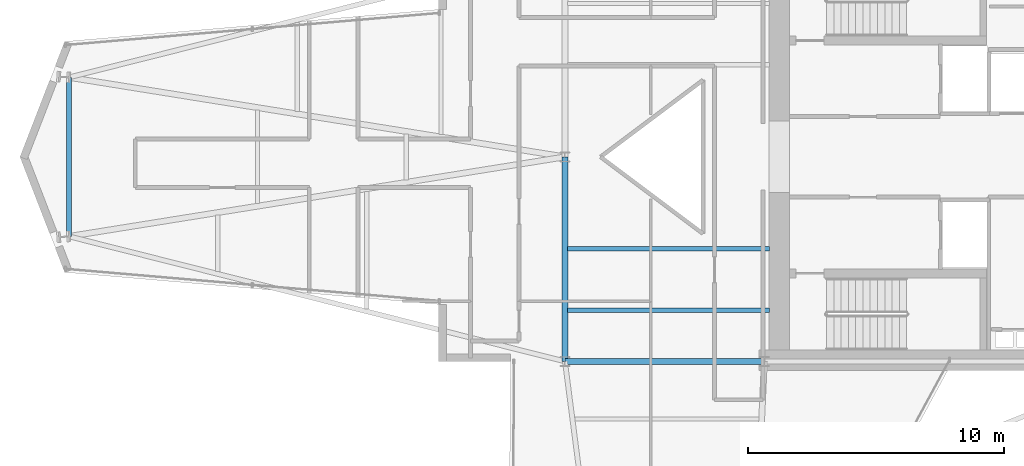
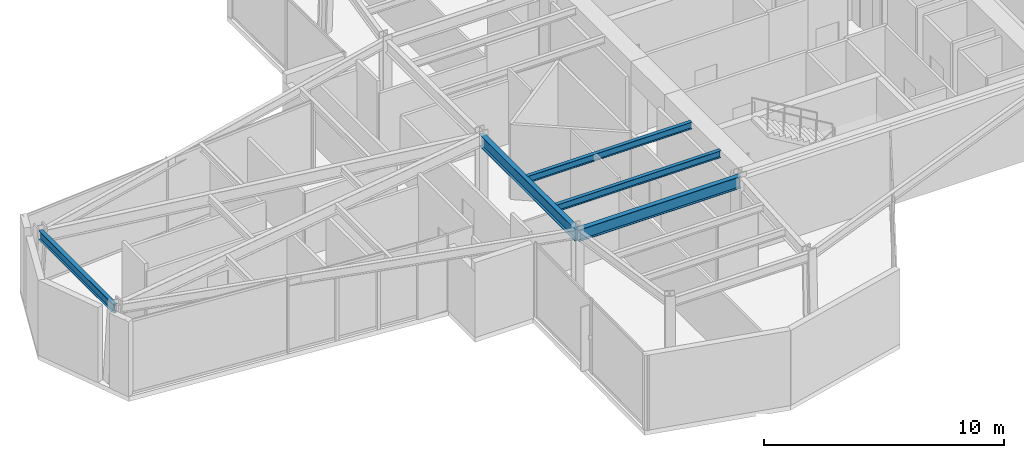
# One storey, part 6 of 26: 5 beams.
"""IFC4 building model written with IfcOpenShell, lengths in metres."""

from ifc_helpers import new_model, si_unit, direction, frame, origin, origin_2d, place, context, subcontext, project, spatial, i_section, extrude, material, material_profile, profile_set, type_object, element, save


model = new_model("IFC4")

# Units and contexts
model_context = context("Model", 3, precision=1e-05, world=origin(), true_north=direction((0.0, 1.0)))
body_context = subcontext(model_context, "Body", "Model", "MODEL_VIEW")
ifc_project = project(units=[si_unit("LENGTHUNIT", "METRE"), si_unit("AREAUNIT", "SQUARE_METRE"), si_unit("VOLUMEUNIT", "CUBIC_METRE"), si_unit("PLANEANGLEUNIT", "RADIAN"), si_unit("MASSUNIT", "GRAM", prefix="KILO")], contexts=[model_context])

# Site, building, storey
site_placement = place(None, origin())
site = spatial("IfcSite", under=ifc_project, at=site_placement, CompositionType="ELEMENT")
building_placement = place(site_placement, origin())
building = spatial("IfcBuilding", under=site, at=building_placement, Name="Veymaron Broadcast Tower", CompositionType="ELEMENT")
storey_placement = place(building_placement, frame((0.0, 0.0, 157.35009765625)))
storey = spatial("IfcBuildingStorey", under=building, at=storey_placement, Name="L36", CompositionType="ELEMENT", Elevation=157.35009765625)

# Beams
ifc_material = material(Name="Structural steel ASTM A992 Gr 50", Category="steel")
ifc_material_profile_1 = material_profile(ifc_material, i_section(OverallWidth=0.22802734375, OverallDepth=0.60791015625, WebThickness=0.01123046875, FlangeThickness=0.017333984375, at=origin_2d()), Name="W610X113")
ifc_profile_set_1 = profile_set([ifc_material_profile_1], Name="Structural steel ASTM A992 Gr 50")
beam_type_1 = type_object("IfcBeamType", Name="BM-FG2", PredefinedType="BEAM", material=ifc_profile_set_1)
beam_1_placement = place(storey_placement, frame((31.199951171875, 16.0, 3.505859375), z_axis=(0.0, 1.0, 0.0), x_axis=(-1.0, 0.0, 0.0)))
element("IfcBeam", 1, at=beam_1_placement, inside=storey, type_object=beam_type_1, Name="L36 primary structural floor girder", PredefinedType="BEAM", context=body_context, shape_type="SweptSolid", body=[
    extrude(i_section(OverallWidth=0.22802734375, OverallDepth=0.60791015625, WebThickness=0.01123046875, FlangeThickness=0.017333984375, at=origin_2d()), origin(), (0.0, 0.0, 1.0), 8.0),
])
beam_2_placement = place(storey_placement, frame((31.199951171875, 16.0, 3.505859375), z_axis=(1.0, 0.0, 0.0), x_axis=(0.0, 1.0, 0.0)))
element("IfcBeam", 2, at=beam_2_placement, inside=storey, type_object=beam_type_1, Name="L36 primary structural floor girder", PredefinedType="BEAM", context=body_context, shape_type="SweptSolid", body=[
    extrude(i_section(OverallWidth=0.22802734375, OverallDepth=0.60791015625, WebThickness=0.01123046875, FlangeThickness=0.017333984375, at=origin_2d()), origin(), (0.0, 0.0, 1.0), 7.800048828125),
])
ifc_material_profile_2 = material_profile(ifc_material, i_section(OverallWidth=0.1708984375, OverallDepth=0.35498046875, WebThickness=0.007080078125, FlangeThickness=0.01171875, at=origin_2d()), Name="W360X51")
ifc_profile_set_2 = profile_set([ifc_material_profile_2], Name="Structural steel ASTM A992 Gr 50")
beam_type_2 = type_object("IfcBeamType", Name="BM-JS2", PredefinedType="JOIST", material=ifc_profile_set_2)
for number, where, z_axis, x_axis, name in (
    (3, (31.300048828125, 18.0, 3.63232421875), (1.0, 0.0, 0.0), (0.0, 1.0, 0.0), "L36 Hub secondary joist 1"),
    (4, (31.300048828125, 20.39990234375, 3.63232421875), (1.0, 0.0, 0.0), (0.0, 1.0, 0.0), "L36 Hub secondary joist 2"),
):
    element("IfcBeam", number, at=place(storey_placement, frame(where, z_axis=z_axis, x_axis=x_axis)), inside=storey, type_object=beam_type_2, Name=name, PredefinedType="JOIST", context=body_context, shape_type="SweptSolid", body=[
        extrude(i_section(OverallWidth=0.1708984375, OverallDepth=0.35498046875, WebThickness=0.007080078125, FlangeThickness=0.01171875, at=origin_2d()), origin(), (0.0, 0.0, 1.0), 7.89990234375),
    ])
ifc_material_profile_3 = material_profile(ifc_material, i_section(OverallWidth=0.19091796875, OverallDepth=0.4599609375, WebThickness=0.010009765625, FlangeThickness=0.01611328125, at=origin_2d()), Name="W460X82")
ifc_profile_set_3 = profile_set([ifc_material_profile_3], Name="Structural steel ASTM A992 Gr 50")
beam_type_3 = type_object("IfcBeamType", Name="BM-SP1", PredefinedType="SPANDREL", material=ifc_profile_set_3)
beam_3_placement = place(storey_placement, frame((11.802001953125, 20.889892578125, 3.579833984375), z_axis=(0.0, 1.0, 0.0), x_axis=(-1.0, 0.0, 0.0)))
element("IfcBeam", 5, at=beam_3_placement, inside=storey, type_object=beam_type_3, Name="L36 primary structural floor girder", PredefinedType="SPANDREL", context=body_context, shape_type="SweptSolid", body=[
    extrude(i_section(OverallWidth=0.19091796875, OverallDepth=0.4599609375, WebThickness=0.010009765625, FlangeThickness=0.01611328125, at=origin_2d()), origin(), (0.0, 0.0, 1.0), 6.22021484375),
])

save(model, "model.ifc")
